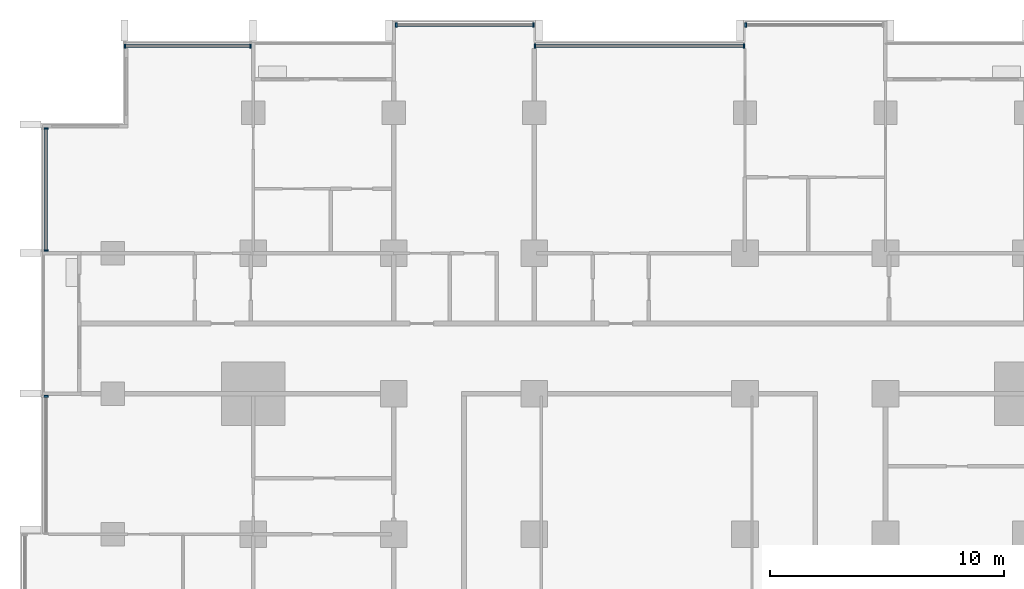
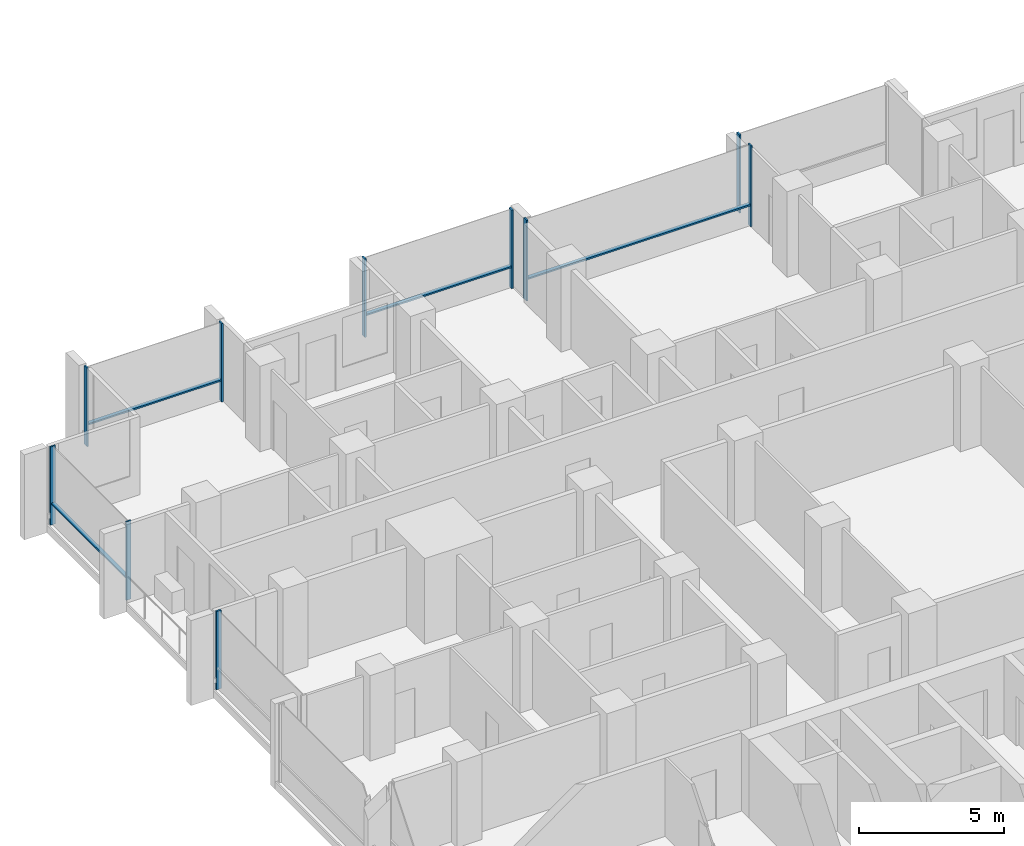
# One storey, part 4 of 18: 14 members, 6 elements without a shape of their own.
"""IFC4 building model written with IfcOpenShell, lengths in metres."""

from ifc_helpers import new_model, si_unit, direction, frame, origin, origin_2d, place, context, subcontext, project, spatial, rectangle, extrude, material, material_profile, profile_set, type_object, element, aggregate, save


model = new_model("IFC4")

# Units and contexts
model_context = context("Model", 3, precision=1e-05, world=origin(), true_north=direction((0.0, 1.0)))
body_context = subcontext(model_context, "Body", "Model", "MODEL_VIEW")
ifc_project = project(units=[si_unit("LENGTHUNIT", "METRE"), si_unit("AREAUNIT", "SQUARE_METRE"), si_unit("VOLUMEUNIT", "CUBIC_METRE"), si_unit("PLANEANGLEUNIT", "RADIAN"), si_unit("MASSUNIT", "GRAM", prefix="KILO")], contexts=[model_context])

# Site, building, storey
site_placement = place(None, origin())
site = spatial("IfcSite", under=ifc_project, at=site_placement, CompositionType="ELEMENT")
building_placement = place(site_placement, origin())
building = spatial("IfcBuilding", under=site, at=building_placement, Name="Finial Court Residences", CompositionType="ELEMENT")
storey_placement = place(building_placement, frame((0.0, 0.0, 84.699951171875)))
storey = spatial("IfcBuildingStorey", under=building, at=storey_placement, Name="L20", CompositionType="ELEMENT", Elevation=84.699951171875)

# Curtain wall, members
ifc_material = material(Name="Bronze anodised aluminium", Category="aluminium")
curtain_wall_type = type_object("IfcCurtainWallType", Name="Unitised curtain wall, lower and middle zones", PredefinedType="NOTDEFINED", material=ifc_material)
curtain_wall_1_placement = place(storey_placement, origin())
curtain_wall_1 = element("IfcCurtainWall", 1, at=curtain_wall_1_placement, inside=storey, type_object=curtain_wall_type, Name="E-L20-CW-N1", PredefinedType="NOTDEFINED")
ifc_material_profile_1 = material_profile(ifc_material, rectangle(XDim=0.199951171875, YDim=0.06494140625, at=origin_2d()), Name="CW1 mullion 65 x 200")
ifc_profile_set_1 = profile_set([ifc_material_profile_1], Name="Bronze anodised aluminium")
member_type_1 = type_object("IfcMemberType", Name="CW1 mullion 65 x 200", PredefinedType="MULLION", material=ifc_profile_set_1)
member_1_placement = place(storey_placement, frame((-21.967529296875, 22.35009765625, 0.0), z_axis=(0.0, 0.0, 1.0), x_axis=(0.0, 1.0, 0.0)))
member_1 = element("IfcMember", 2, at=member_1_placement, type_object=member_type_1, Name="CW1 mullion 1", PredefinedType="MULLION", context=body_context, shape_type="SweptSolid", body=[
    extrude(rectangle(XDim=0.199951171875, YDim=0.06494140625, at=origin_2d()), origin(), (0.0, 0.0, 1.0), 3.300048828125),
])
member_2_placement = place(storey_placement, frame((-16.607421875, 22.35009765625, 0.0), z_axis=(0.0, 0.0, 1.0), x_axis=(0.0, 1.0, 0.0)))
member_2 = element("IfcMember", 3, at=member_2_placement, type_object=member_type_1, Name="CW1 mullion 2", PredefinedType="MULLION", context=body_context, shape_type="SweptSolid", body=[
    extrude(rectangle(XDim=0.199951171875, YDim=0.06494140625, at=origin_2d()), origin(), (0.0, 0.0, 1.0), 3.300048828125),
])

curtain_wall_2_placement = place(storey_placement, origin())
curtain_wall_2 = element("IfcCurtainWall", 4, at=curtain_wall_2_placement, inside=storey, type_object=curtain_wall_type, Name="E-L20-CW-N2", PredefinedType="NOTDEFINED")
member_3_placement = place(storey_placement, frame((-10.392578125, 23.25, 0.0), z_axis=(0.0, 0.0, 1.0), x_axis=(0.0, 1.0, 0.0)))
member_3 = element("IfcMember", 5, at=member_3_placement, type_object=member_type_1, Name="CW1 mullion 1", PredefinedType="MULLION", context=body_context, shape_type="SweptSolid", body=[
    extrude(rectangle(XDim=0.199951171875, YDim=0.06494140625, at=origin_2d()), origin(), (0.0, 0.0, 1.0), 3.300048828125),
])
member_4_placement = place(storey_placement, frame((-4.532470703125, 23.25, 0.0), z_axis=(0.0, 0.0, 1.0), x_axis=(0.0, 1.0, 0.0)))
member_4 = element("IfcMember", 6, at=member_4_placement, type_object=member_type_1, Name="CW1 mullion 2", PredefinedType="MULLION", context=body_context, shape_type="SweptSolid", body=[
    extrude(rectangle(XDim=0.199951171875, YDim=0.06494140625, at=origin_2d()), origin(), (0.0, 0.0, 1.0), 3.300048828125),
])

curtain_wall_3_placement = place(storey_placement, origin())
curtain_wall_3 = element("IfcCurtainWall", 7, at=curtain_wall_3_placement, inside=storey, type_object=curtain_wall_type, Name="E-L20-CW-N3", PredefinedType="NOTDEFINED")
member_5_placement = place(storey_placement, frame((-4.467529296875, 22.35009765625, 0.0), z_axis=(0.0, 0.0, 1.0), x_axis=(0.0, 1.0, 0.0)))
member_5 = element("IfcMember", 8, at=member_5_placement, type_object=member_type_1, Name="CW1 mullion 1", PredefinedType="MULLION", context=body_context, shape_type="SweptSolid", body=[
    extrude(rectangle(XDim=0.199951171875, YDim=0.06494140625, at=origin_2d()), origin(), (0.0, 0.0, 1.0), 3.400146484375),
])
member_6_placement = place(storey_placement, frame((4.467529296875, 22.35009765625, 0.0), z_axis=(0.0, 0.0, 1.0), x_axis=(0.0, 1.0, 0.0)))
member_6 = element("IfcMember", 9, at=member_6_placement, type_object=member_type_1, Name="CW1 mullion 2", PredefinedType="MULLION", context=body_context, shape_type="SweptSolid", body=[
    extrude(rectangle(XDim=0.199951171875, YDim=0.06494140625, at=origin_2d()), origin(), (0.0, 0.0, 1.0), 3.400146484375),
])

# Curtain wall, member
curtain_wall_4_placement = place(storey_placement, origin())
curtain_wall_4 = element("IfcCurtainWall", 10, at=curtain_wall_4_placement, inside=storey, type_object=curtain_wall_type, Name="E-L20-CW-N4", PredefinedType="NOTDEFINED")
member_7_placement = place(storey_placement, frame((4.532470703125, 23.25, 0.0), z_axis=(0.0, 0.0, 1.0), x_axis=(0.0, 1.0, 0.0)))
member_7 = element("IfcMember", 11, at=member_7_placement, type_object=member_type_1, Name="CW1 mullion 1", PredefinedType="MULLION", context=body_context, shape_type="SweptSolid", body=[
    extrude(rectangle(XDim=0.199951171875, YDim=0.06494140625, at=origin_2d()), origin(), (0.0, 0.0, 1.0), 3.300048828125),
])
aggregate(curtain_wall_4, [member_7])

curtain_wall_5_placement = place(storey_placement, origin())
curtain_wall_5 = element("IfcCurtainWall", 12, at=curtain_wall_5_placement, inside=storey, type_object=curtain_wall_type, Name="E-L20-CW-W13", PredefinedType="NOTDEFINED")
member_8_placement = place(storey_placement, frame((-25.35009765625, 7.392578125, 0.0), z_axis=(0.0, 0.0, 1.0), x_axis=(-1.0, 0.0, 0.0)))
member_8 = element("IfcMember", 13, at=member_8_placement, type_object=member_type_1, Name="CW1 mullion 2", PredefinedType="MULLION", context=body_context, shape_type="SweptSolid", body=[
    extrude(rectangle(XDim=0.199951171875, YDim=0.06494140625, at=origin_2d()), origin(), (0.0, 0.0, 1.0), 3.300048828125),
])
aggregate(curtain_wall_5, [member_8])

# Curtain wall, members
curtain_wall_6_placement = place(storey_placement, origin())
curtain_wall_6 = element("IfcCurtainWall", 14, at=curtain_wall_6_placement, inside=storey, type_object=curtain_wall_type, Name="E-L20-CW-W14", PredefinedType="NOTDEFINED")
member_9_placement = place(storey_placement, frame((-25.35009765625, 13.607421875, 0.0), z_axis=(0.0, 0.0, 1.0), x_axis=(-1.0, 0.0, 0.0)))
member_9 = element("IfcMember", 15, at=member_9_placement, type_object=member_type_1, Name="CW1 mullion 1", PredefinedType="MULLION", context=body_context, shape_type="SweptSolid", body=[
    extrude(rectangle(XDim=0.199951171875, YDim=0.06494140625, at=origin_2d()), origin(), (0.0, 0.0, 1.0), 3.300048828125),
])
member_10_placement = place(storey_placement, frame((-25.35009765625, 18.8173828125, 0.0), z_axis=(0.0, 0.0, 1.0), x_axis=(-1.0, 0.0, 0.0)))
member_10 = element("IfcMember", 16, at=member_10_placement, type_object=member_type_1, Name="CW1 mullion 2", PredefinedType="MULLION", context=body_context, shape_type="SweptSolid", body=[
    extrude(rectangle(XDim=0.199951171875, YDim=0.06494140625, at=origin_2d()), origin(), (0.0, 0.0, 1.0), 3.300048828125),
])

# Member
ifc_material_profile_2 = material_profile(ifc_material, rectangle(XDim=0.14990234375, YDim=0.06494140625, at=origin_2d()), Name="CW1 transom 65 x 150")
ifc_profile_set_2 = profile_set([ifc_material_profile_2], Name="Bronze anodised aluminium")
member_type_2 = type_object("IfcMemberType", Name="CW1 transom 65 x 150", PredefinedType="USERDEFINED", material=ifc_profile_set_2)
member_11_placement = place(storey_placement, frame((-21.93505859375, 22.35009765625, 0.900146484375), z_axis=(1.0, 0.0, 0.0), x_axis=(0.0, 1.0, 0.0)))
member_11 = element("IfcMember", 17, at=member_11_placement, type_object=member_type_2, Name="CW1 transom 1.1", ObjectType="TRANSOM", PredefinedType="USERDEFINED", context=body_context, shape_type="SweptSolid", body=[
    extrude(rectangle(XDim=0.14990234375, YDim=0.06494140625, at=origin_2d()), origin(), (0.0, 0.0, 1.0), 5.295166015625),
])

aggregate(curtain_wall_1, [member_1, member_2, member_11])

member_12_placement = place(storey_placement, frame((-10.360107421875, 23.25, 0.900146484375), z_axis=(1.0, 0.0, 0.0), x_axis=(0.0, 1.0, 0.0)))
member_12 = element("IfcMember", 18, at=member_12_placement, type_object=member_type_2, Name="CW1 transom 1.1", ObjectType="TRANSOM", PredefinedType="USERDEFINED", context=body_context, shape_type="SweptSolid", body=[
    extrude(rectangle(XDim=0.14990234375, YDim=0.06494140625, at=origin_2d()), origin(), (0.0, 0.0, 1.0), 5.795166015625),
])

aggregate(curtain_wall_2, [member_3, member_4, member_12])

member_13_placement = place(storey_placement, frame((-4.43505859375, 22.35009765625, 0.900146484375), z_axis=(1.0, 0.0, 0.0), x_axis=(0.0, 1.0, 0.0)))
member_13 = element("IfcMember", 19, at=member_13_placement, type_object=member_type_2, Name="CW1 transom 1.1", ObjectType="TRANSOM", PredefinedType="USERDEFINED", context=body_context, shape_type="SweptSolid", body=[
    extrude(rectangle(XDim=0.14990234375, YDim=0.06494140625, at=origin_2d()), origin(), (0.0, 0.0, 1.0), 8.8701171875),
])

aggregate(curtain_wall_3, [member_5, member_6, member_13])

member_14_placement = place(storey_placement, frame((-25.35009765625, 13.639892578125, 0.900146484375), z_axis=(0.0, 1.0, 0.0), x_axis=(-1.0, 0.0, 0.0)))
member_14 = element("IfcMember", 20, at=member_14_placement, type_object=member_type_2, Name="CW1 transom 1.1", ObjectType="TRANSOM", PredefinedType="USERDEFINED", context=body_context, shape_type="SweptSolid", body=[
    extrude(rectangle(XDim=0.14990234375, YDim=0.06494140625, at=origin_2d()), origin(), (0.0, 0.0, 1.0), 5.14501953125),
])

aggregate(curtain_wall_6, [member_9, member_10, member_14])

save(model, "model.ifc")
